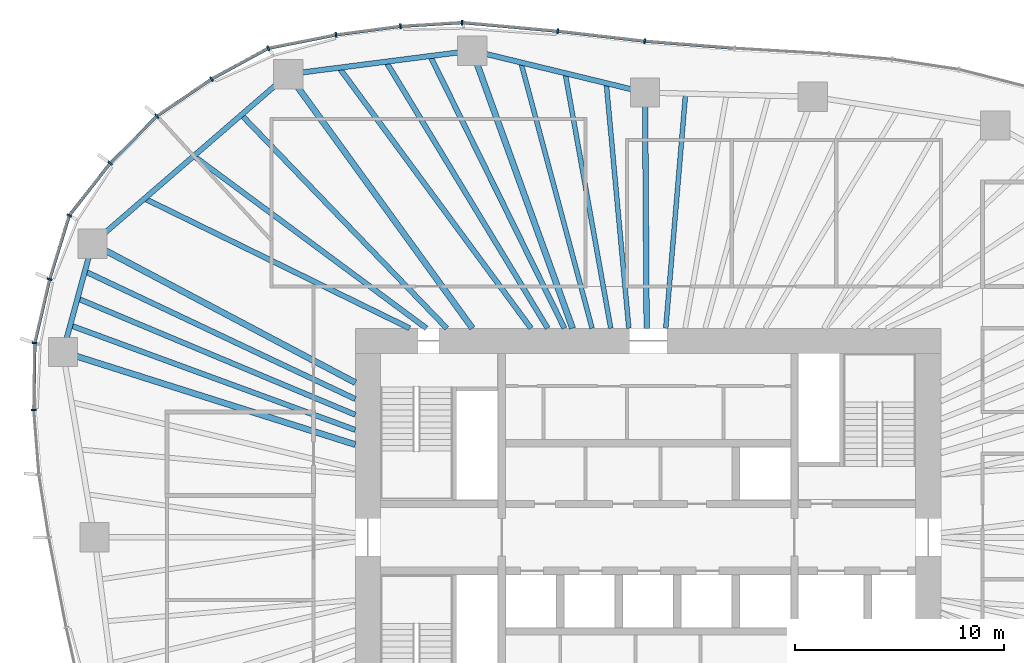
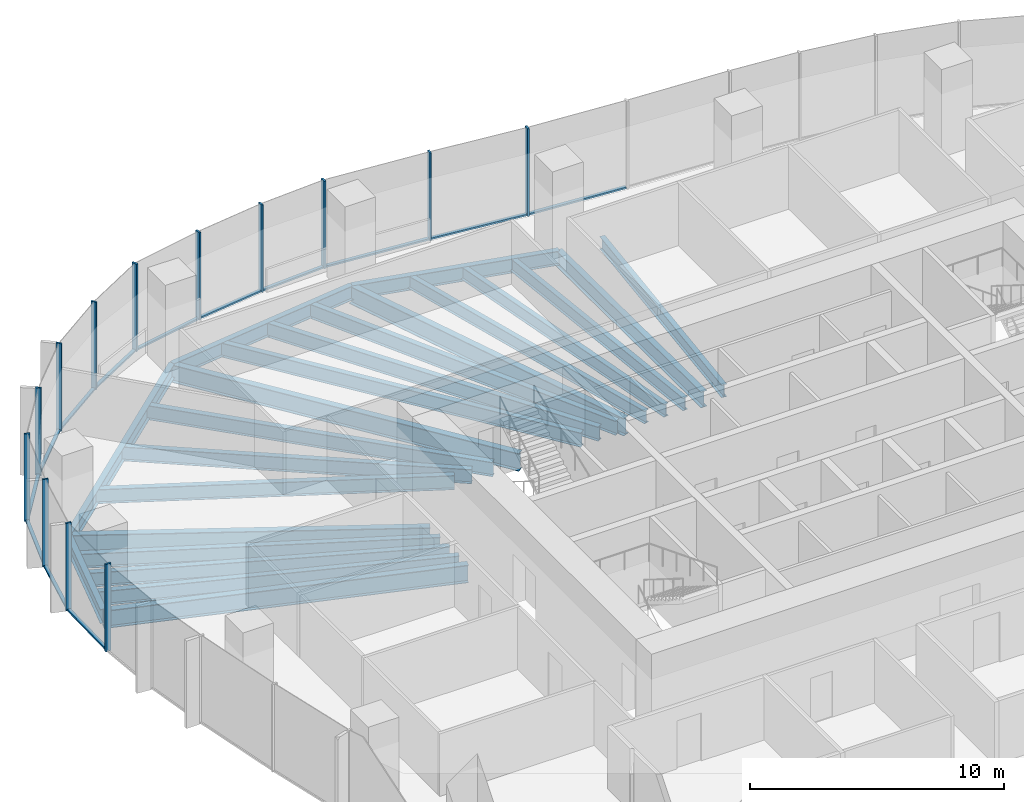
# One storey, part 5 of 18: 26 members, 22 beams, 6 elements without a shape of their own.
"""IFC4 building model written with IfcOpenShell, lengths in metres."""

from ifc_helpers import new_model, si_unit, direction, frame, origin, origin_2d, place, context, subcontext, project, spatial, rectangle, i_section, extrude, material, material_profile, profile_set, type_object, element, aggregate, save


model = new_model("IFC4")

# Units and contexts
model_context = context("Model", 3, precision=1e-05, world=origin(), true_north=direction((0.0, 1.0)))
body_context = subcontext(model_context, "Body", "Model", "MODEL_VIEW")
ifc_project = project(units=[si_unit("LENGTHUNIT", "METRE"), si_unit("AREAUNIT", "SQUARE_METRE"), si_unit("VOLUMEUNIT", "CUBIC_METRE"), si_unit("PLANEANGLEUNIT", "RADIAN"), si_unit("MASSUNIT", "GRAM", prefix="KILO")], contexts=[model_context])

# Site, building, storey
site_placement = place(None, origin())
site = spatial("IfcSite", under=ifc_project, at=site_placement, CompositionType="ELEMENT")
building_placement = place(site_placement, origin())
building = spatial("IfcBuilding", under=site, at=building_placement, Name="Ghaith Harvest Tower", CompositionType="ELEMENT")
storey_placement = place(building_placement, frame((0.0, 0.0, 147.0)))
storey = spatial("IfcBuildingStorey", under=building, at=storey_placement, Name="L31", CompositionType="ELEMENT", Elevation=147.0)

# Curtain wall, members
ifc_material_1 = material(Name="Black anodised aluminium and fritted glass", Category="aluminium")
curtain_wall_type = type_object("IfcCurtainWallType", Name="CW-L CURTAIN WALL", PredefinedType="NOTDEFINED", material=ifc_material_1)
curtain_wall_1_placement = place(storey_placement, origin())
curtain_wall_1 = element("IfcCurtainWall", 1, at=curtain_wall_1_placement, inside=storey, type_object=curtain_wall_type, Name="Curtain wall CW-L bay 06 L31", PredefinedType="NOTDEFINED")
ifc_material_2 = material(Name="Aluminium, black anodised", Category="aluminium")
ifc_material_profile_1 = material_profile(ifc_material_2, rectangle(XDim=0.080078125, YDim=0.239990234375, at=origin_2d()), Name="CW-L MULLION 80x240")
ifc_profile_set_1 = profile_set([ifc_material_profile_1], Name="Aluminium, black anodised")
member_type_1 = type_object("IfcMemberType", Name="CW-L MULLION 80x240", PredefinedType="MULLION", material=ifc_profile_set_1)
member_1_placement = place(storey_placement, frame((-0.162353515625, 23.729736328125, 0.0), z_axis=(0.0, 0.0, 1.0), x_axis=(-0.995388088953, 0.095929934691, 0.0)))
member_1 = element("IfcMember", 2, at=member_1_placement, type_object=member_type_1, Name="CW-L mullion 1 bay 06 L31", PredefinedType="MULLION", context=body_context, shape_type="SweptSolid", body=[
    extrude(rectangle(XDim=0.080078125, YDim=0.239990234375, at=origin_2d()), origin(), (0.0, 0.0, 1.0), 4.199951171875),
])
member_2_placement = place(storey_placement, frame((-4.322998046875, 24.207275390625, 0.0), z_axis=(0.0, 0.0, 1.0), x_axis=(-0.994830371571, 0.101550636625, 0.0)))
member_2 = element("IfcMember", 3, at=member_2_placement, type_object=member_type_1, Name="CW-L mullion 2 bay 06 L31", PredefinedType="MULLION", context=body_context, shape_type="SweptSolid", body=[
    extrude(rectangle(XDim=0.080078125, YDim=0.239990234375, at=origin_2d()), origin(), (0.0, 0.0, 1.0), 4.199951171875),
])

curtain_wall_2_placement = place(storey_placement, origin())
curtain_wall_2 = element("IfcCurtainWall", 4, at=curtain_wall_2_placement, inside=storey, type_object=curtain_wall_type, Name="Curtain wall CW-L bay 07 L31", PredefinedType="NOTDEFINED")
member_3_placement = place(storey_placement, frame((-8.892578125, 24.620849609375, 0.0), z_axis=(0.0, 0.0, 1.0), x_axis=(-0.999522209385, 0.030908784286, 0.0)))
member_3 = element("IfcMember", 5, at=member_3_placement, type_object=member_type_1, Name="CW-L mullion 1 bay 07 L31", PredefinedType="MULLION", context=body_context, shape_type="SweptSolid", body=[
    extrude(rectangle(XDim=0.080078125, YDim=0.239990234375, at=origin_2d()), origin(), (0.0, 0.0, 1.0), 4.199951171875),
])
member_4_placement = place(storey_placement, frame((-11.841064453125, 24.439697265625, 0.0), z_axis=(0.0, 0.0, 1.0), x_axis=(-0.995237520168, -0.097479630949, 0.0)))
member_4 = element("IfcMember", 6, at=member_4_placement, type_object=member_type_1, Name="CW-L mullion 2 bay 07 L31", PredefinedType="MULLION", context=body_context, shape_type="SweptSolid", body=[
    extrude(rectangle(XDim=0.080078125, YDim=0.239990234375, at=origin_2d()), origin(), (0.0, 0.0, 1.0), 4.199951171875),
])
member_5_placement = place(storey_placement, frame((-14.923828125, 24.030029296875, 0.0), z_axis=(0.0, 0.0, 1.0), x_axis=(-0.986494514812, -0.163794298578, 0.0)))
member_5 = element("IfcMember", 7, at=member_5_placement, type_object=member_type_1, Name="CW-L mullion 3 bay 07 L31", PredefinedType="MULLION", context=body_context, shape_type="SweptSolid", body=[
    extrude(rectangle(XDim=0.080078125, YDim=0.239990234375, at=origin_2d()), origin(), (0.0, 0.0, 1.0), 4.199951171875),
])

curtain_wall_3_placement = place(storey_placement, origin())
curtain_wall_3 = element("IfcCurtainWall", 8, at=curtain_wall_3_placement, inside=storey, type_object=curtain_wall_type, Name="Curtain wall CW-L bay 08 L31", PredefinedType="NOTDEFINED")
member_6_placement = place(storey_placement, frame((-18.165283203125, 23.3896484375, 0.0), z_axis=(0.0, 0.0, 1.0), x_axis=(-0.942103541202, -0.335322110298, 0.0)))
member_6 = element("IfcMember", 9, at=member_6_placement, type_object=member_type_1, Name="CW-L mullion 1 bay 08 L31", PredefinedType="MULLION", context=body_context, shape_type="SweptSolid", body=[
    extrude(rectangle(XDim=0.080078125, YDim=0.239990234375, at=origin_2d()), origin(), (0.0, 0.0, 1.0), 4.199951171875),
])
member_7_placement = place(storey_placement, frame((-20.87548828125, 21.91162109375, 0.0), z_axis=(0.0, 0.0, 1.0), x_axis=(-0.853515864435, -0.521066856707, 0.0)))
member_7 = element("IfcMember", 10, at=member_7_placement, type_object=member_type_1, Name="CW-L mullion 2 bay 08 L31", PredefinedType="MULLION", context=body_context, shape_type="SweptSolid", body=[
    extrude(rectangle(XDim=0.080078125, YDim=0.239990234375, at=origin_2d()), origin(), (0.0, 0.0, 1.0), 4.199951171875),
])
member_8_placement = place(storey_placement, frame((-23.489501953125, 20.13916015625, 0.0), z_axis=(0.0, 0.0, 1.0), x_axis=(-0.769682554376, -0.638426789451, 0.0)))
member_8 = element("IfcMember", 11, at=member_8_placement, type_object=member_type_1, Name="CW-L mullion 3 bay 08 L31", PredefinedType="MULLION", context=body_context, shape_type="SweptSolid", body=[
    extrude(rectangle(XDim=0.080078125, YDim=0.239990234375, at=origin_2d()), origin(), (0.0, 0.0, 1.0), 4.199951171875),
])

curtain_wall_4_placement = place(storey_placement, origin())
curtain_wall_4 = element("IfcCurtainWall", 12, at=curtain_wall_4_placement, inside=storey, type_object=curtain_wall_type, Name="Curtain wall CW-L bay 09 L31", PredefinedType="NOTDEFINED")
member_9_placement = place(storey_placement, frame((-25.718017578125, 17.894775390625, 0.0), z_axis=(0.0, 0.0, 1.0), x_axis=(-0.661903840688, -0.749588757708, 0.0)))
member_9 = element("IfcMember", 13, at=member_9_placement, type_object=member_type_1, Name="CW-L mullion 1 bay 09 L31", PredefinedType="MULLION", context=body_context, shape_type="SweptSolid", body=[
    extrude(rectangle(XDim=0.080078125, YDim=0.239990234375, at=origin_2d()), origin(), (0.0, 0.0, 1.0), 4.199951171875),
])
member_10_placement = place(storey_placement, frame((-27.67919921875, 15.39453125, 0.0), z_axis=(0.0, 0.0, 1.0), x_axis=(-0.462889784298, -0.886415843491, 0.0)))
member_10 = element("IfcMember", 14, at=member_10_placement, type_object=member_type_1, Name="CW-L mullion 2 bay 09 L31", PredefinedType="MULLION", context=body_context, shape_type="SweptSolid", body=[
    extrude(rectangle(XDim=0.080078125, YDim=0.239990234375, at=origin_2d()), origin(), (0.0, 0.0, 1.0), 4.199951171875),
])
member_11_placement = place(storey_placement, frame((-28.61669921875, 12.343994140625, 0.0), z_axis=(0.0, 0.0, 1.0), x_axis=(-0.260727312416, -0.965412486226, 0.0)))
member_11 = element("IfcMember", 15, at=member_11_placement, type_object=member_type_1, Name="CW-L mullion 3 bay 09 L31", PredefinedType="MULLION", context=body_context, shape_type="SweptSolid", body=[
    extrude(rectangle(XDim=0.080078125, YDim=0.239990234375, at=origin_2d()), origin(), (0.0, 0.0, 1.0), 4.199951171875),
])

curtain_wall_5_placement = place(storey_placement, origin())
curtain_wall_5 = element("IfcCurtainWall", 16, at=curtain_wall_5_placement, inside=storey, type_object=curtain_wall_type, Name="Curtain wall CW-L bay 10 L31", PredefinedType="NOTDEFINED")
member_12_placement = place(storey_placement, frame((-29.32666015625, 9.294189453125, 0.0), z_axis=(0.0, 0.0, 1.0), x_axis=(-0.120932140225, -0.99266077663, 0.0)))
member_12 = element("IfcMember", 17, at=member_12_placement, type_object=member_type_1, Name="CW-L mullion 1 bay 10 L31", PredefinedType="MULLION", context=body_context, shape_type="SweptSolid", body=[
    extrude(rectangle(XDim=0.080078125, YDim=0.239990234375, at=origin_2d()), origin(), (0.0, 0.0, 1.0), 4.199951171875),
])
member_13_placement = place(storey_placement, frame((-29.3779296875, 6.09619140625, 0.0), z_axis=(0.0, 0.0, 1.0), x_axis=(0.031027769448, -0.999518522851, 0.0)))
member_13 = element("IfcMember", 18, at=member_13_placement, type_object=member_type_1, Name="CW-L mullion 2 bay 10 L31", PredefinedType="MULLION", context=body_context, shape_type="SweptSolid", body=[
    extrude(rectangle(XDim=0.080078125, YDim=0.239990234375, at=origin_2d()), origin(), (0.0, 0.0, 1.0), 4.199951171875),
])

# Curtain wall, member
curtain_wall_6_placement = place(storey_placement, origin())
curtain_wall_6 = element("IfcCurtainWall", 19, at=curtain_wall_6_placement, inside=storey, type_object=curtain_wall_type, Name="Curtain wall CW-L bay 05 L31", PredefinedType="NOTDEFINED")
ifc_material_3 = material(Name="Aluminium, black anodised", Category="aluminium")
ifc_material_profile_2 = material_profile(ifc_material_3, rectangle(XDim=0.14990234375, YDim=0.080078125, at=origin_2d()), Name="CW-L TRANSOM 150x80")
ifc_profile_set_2 = profile_set([ifc_material_profile_2], Name="Aluminium, black anodised")
member_type_2 = type_object("IfcMemberType", Name="CW-L TRANSOM 150x80", PredefinedType="USERDEFINED", material=ifc_profile_set_2)
member_14_placement = place(storey_placement, frame((4.106689453125, 23.39404296875, 0.0400390625), z_axis=(-0.996923406046, 0.078381901463, 0.0), x_axis=(-0.078381901463, -0.996923406046, 0.0)))
member_14 = element("IfcMember", 20, at=member_14_placement, type_object=member_type_2, Name="CW-L transom 2 bay 05 L31", ObjectType="TRANSOM", PredefinedType="USERDEFINED", context=body_context, shape_type="SweptSolid", body=[
    extrude(rectangle(XDim=0.14990234375, YDim=0.080078125, at=origin_2d()), origin(), (0.0, 0.0, 1.0), 4.2421875),
])
aggregate(curtain_wall_6, [member_14])

# Member
member_15_placement = place(storey_placement, frame((-0.2021484375, 23.734130859375, 0.0400390625), z_axis=(-0.993474883942, 0.114051106861, 0.0), x_axis=(-0.114051106861, -0.993474883942, 0.0)))
member_15 = element("IfcMember", 21, at=member_15_placement, type_object=member_type_2, Name="CW-L transom 1 bay 06 L31", ObjectType="TRANSOM", PredefinedType="USERDEFINED", context=body_context, shape_type="SweptSolid", body=[
    extrude(rectangle(XDim=0.14990234375, YDim=0.080078125, at=origin_2d()), origin(), (0.0, 0.0, 1.0), 4.10791015625),
])

member_16_placement = place(storey_placement, frame((-4.36279296875, 24.210693359375, 0.0400390625), z_axis=(-0.995926431676, 0.090169521954, 0.0), x_axis=(-0.090169521954, -0.995926431676, 0.0)))
member_16 = element("IfcMember", 22, at=member_16_placement, type_object=member_type_2, Name="CW-L transom 2 bay 06 L31", ObjectType="TRANSOM", PredefinedType="USERDEFINED", context=body_context, shape_type="SweptSolid", body=[
    extrude(rectangle(XDim=0.14990234375, YDim=0.080078125, at=origin_2d()), origin(), (0.0, 0.0, 1.0), 4.508056640625),
])

aggregate(curtain_wall_1, [member_1, member_15, member_2, member_16])

member_17_placement = place(storey_placement, frame((-8.932373046875, 24.618408203125, 0.0400390625), z_axis=(-0.998117793577, -0.061325933705, 0.0), x_axis=(0.061325933705, -0.998117793577, 0.0)))
member_17 = element("IfcMember", 23, at=member_17_placement, type_object=member_type_2, Name="CW-L transom 1 bay 07 L31", ObjectType="TRANSOM", PredefinedType="USERDEFINED", context=body_context, shape_type="SweptSolid", body=[
    extrude(rectangle(XDim=0.14990234375, YDim=0.080078125, at=origin_2d()), origin(), (0.0, 0.0, 1.0), 2.874267578125),
])

member_18_placement = place(storey_placement, frame((-11.880859375, 24.434326171875, 0.0400390625), z_axis=(-0.991293929443, -0.131667556553, 0.0), x_axis=(0.131667556553, -0.991293929443, 0.0)))
member_18 = element("IfcMember", 24, at=member_18_placement, type_object=member_type_2, Name="CW-L transom 2 bay 07 L31", ObjectType="TRANSOM", PredefinedType="USERDEFINED", context=body_context, shape_type="SweptSolid", body=[
    extrude(rectangle(XDim=0.14990234375, YDim=0.080078125, at=origin_2d()), origin(), (0.0, 0.0, 1.0), 3.02978515625),
])

member_19_placement = place(storey_placement, frame((-14.963134765625, 24.022216796875, 0.0400390625), z_axis=(-0.98104391994, -0.19378551842, 0.0), x_axis=(0.19378551842, -0.98104391994, 0.0)))
member_19 = element("IfcMember", 25, at=member_19_placement, type_object=member_type_2, Name="CW-L transom 3 bay 07 L31", ObjectType="TRANSOM", PredefinedType="USERDEFINED", context=body_context, shape_type="SweptSolid", body=[
    extrude(rectangle(XDim=0.14990234375, YDim=0.080078125, at=origin_2d()), origin(), (0.0, 0.0, 1.0), 3.223876953125),
])

aggregate(curtain_wall_2, [member_3, member_17, member_4, member_18, member_5, member_19])

member_20_placement = place(storey_placement, frame((-18.200439453125, 23.37060546875, 0.0400390625), z_axis=(-0.877929702377, -0.478789554695, 0.0), x_axis=(0.478789554695, -0.877929702377, 0.0)))
member_20 = element("IfcMember", 26, at=member_20_placement, type_object=member_type_2, Name="CW-L transom 1 bay 08 L31", ObjectType="TRANSOM", PredefinedType="USERDEFINED", context=body_context, shape_type="SweptSolid", body=[
    extrude(rectangle(XDim=0.14990234375, YDim=0.080078125, at=origin_2d()), origin(), (0.0, 0.0, 1.0), 3.0068359375),
])

member_21_placement = place(storey_placement, frame((-20.908447265625, 21.88916015625, 0.0400390625), z_axis=(-0.827681025079, -0.561198824593, 0.0), x_axis=(0.561198824593, -0.827681025079, 0.0)))
member_21 = element("IfcMember", 27, at=member_21_placement, type_object=member_type_2, Name="CW-L transom 2 bay 08 L31", ObjectType="TRANSOM", PredefinedType="USERDEFINED", context=body_context, shape_type="SweptSolid", body=[
    extrude(rectangle(XDim=0.14990234375, YDim=0.080078125, at=origin_2d()), origin(), (0.0, 0.0, 1.0), 3.078369140625),
])

member_22_placement = place(storey_placement, frame((-23.517578125, 20.11083984375, 0.0400390625), z_axis=(-0.704647577514, -0.709557461735, 0.0), x_axis=(0.709557461735, -0.704647577514, 0.0)))
member_22 = element("IfcMember", 28, at=member_22_placement, type_object=member_type_2, Name="CW-L transom 3 bay 08 L31", ObjectType="TRANSOM", PredefinedType="USERDEFINED", context=body_context, shape_type="SweptSolid", body=[
    extrude(rectangle(XDim=0.14990234375, YDim=0.080078125, at=origin_2d()), origin(), (0.0, 0.0, 1.0), 3.0830078125),
])

aggregate(curtain_wall_3, [member_6, member_20, member_7, member_21, member_8, member_22])

member_23_placement = place(storey_placement, frame((-25.74267578125, 17.86328125, 0.0400390625), z_axis=(-0.617198298797, -0.786807638474, 0.0), x_axis=(0.786807638474, -0.617198298797, 0.0)))
member_23 = element("IfcMember", 29, at=member_23_placement, type_object=member_type_2, Name="CW-L transom 1 bay 09 L31", ObjectType="TRANSOM", PredefinedType="USERDEFINED", context=body_context, shape_type="SweptSolid", body=[
    extrude(rectangle(XDim=0.14990234375, YDim=0.080078125, at=origin_2d()), origin(), (0.0, 0.0, 1.0), 3.09765625),
])

member_24_placement = place(storey_placement, frame((-27.69091796875, 15.356201171875, 0.0400390625), z_axis=(-0.293777058804, -0.955873966441, 0.0), x_axis=(0.955873966441, -0.293777058804, 0.0)))
member_24 = element("IfcMember", 30, at=member_24_placement, type_object=member_type_2, Name="CW-L transom 2 bay 09 L31", ObjectType="TRANSOM", PredefinedType="USERDEFINED", context=body_context, shape_type="SweptSolid", body=[
    extrude(rectangle(XDim=0.14990234375, YDim=0.080078125, at=origin_2d()), origin(), (0.0, 0.0, 1.0), 3.111328125),
])

member_25_placement = place(storey_placement, frame((-28.6259765625, 12.304931640625, 0.0400390625), z_axis=(-0.226670598607, -0.973971477882, 0.0), x_axis=(0.973971477882, -0.226670598607, 0.0)))
member_25 = element("IfcMember", 31, at=member_25_placement, type_object=member_type_2, Name="CW-L transom 3 bay 09 L31", ObjectType="TRANSOM", PredefinedType="USERDEFINED", context=body_context, shape_type="SweptSolid", body=[
    extrude(rectangle(XDim=0.14990234375, YDim=0.080078125, at=origin_2d()), origin(), (0.0, 0.0, 1.0), 3.05126953125),
])

aggregate(curtain_wall_4, [member_9, member_23, member_10, member_24, member_11, member_25])

member_26_placement = place(storey_placement, frame((-29.327392578125, 9.254150390625, 0.0400390625), z_axis=(-0.015971652868, -0.999872445017, 0.0), x_axis=(0.999872445017, -0.015971652868, 0.0)))
member_26 = element("IfcMember", 32, at=member_26_placement, type_object=member_type_2, Name="CW-L transom 1 bay 10 L31", ObjectType="TRANSOM", PredefinedType="USERDEFINED", context=body_context, shape_type="SweptSolid", body=[
    extrude(rectangle(XDim=0.14990234375, YDim=0.080078125, at=origin_2d()), origin(), (0.0, 0.0, 1.0), 3.118408203125),
])

aggregate(curtain_wall_5, [member_12, member_26, member_13])

# Beams
ifc_material_4 = material(Name="Steel ASTM A992 Grade 50", Category="steel")
ifc_material_profile_3 = material_profile(ifc_material_4, i_section(OverallWidth=0.25390625, OverallDepth=0.68408203125, WebThickness=0.012451171875, FlangeThickness=0.018798828125, at=origin_2d()), Name="W690X140")
ifc_profile_set_3 = profile_set([ifc_material_profile_3], Name="Steel ASTM A992 Grade 50")
beam_type_1 = type_object("IfcBeamType", Name="E690-140 W690X140", PredefinedType="SPANDREL", material=ifc_profile_set_3)
beam_1_placement = place(storey_placement, frame((-0.14599609375, 21.27099609375, -0.511962890625), z_axis=(-0.971790293477, 0.235846614358, 0.0), x_axis=(-0.235846614358, -0.971790293477, 0.0)))
element("IfcBeam", 33, at=beam_1_placement, inside=storey, type_object=beam_type_1, Name="Edge beam E06 L31", PredefinedType="SPANDREL", context=body_context, shape_type="SweptSolid", body=[
    extrude(i_section(OverallWidth=0.25390625, OverallDepth=0.68408203125, WebThickness=0.012451171875, FlangeThickness=0.018798828125, at=origin_2d()), origin(), (0.0, 0.0, 1.0), 8.500732421875),
])
beam_2_placement = place(storey_placement, frame((-8.406982421875, 23.27587890625, -0.511962890625), z_axis=(-0.991904090065, -0.126989275577, 0.0), x_axis=(0.126989275577, -0.991904090065, 0.0)))
element("IfcBeam", 34, at=beam_2_placement, inside=storey, type_object=beam_type_1, Name="Edge beam E07 L31", PredefinedType="SPANDREL", context=body_context, shape_type="SweptSolid", body=[
    extrude(i_section(OverallWidth=0.25390625, OverallDepth=0.68408203125, WebThickness=0.012451171875, FlangeThickness=0.018798828125, at=origin_2d()), origin(), (0.0, 0.0, 1.0), 8.86669921875),
])
beam_3_placement = place(storey_placement, frame((-17.201904296875, 22.14990234375, -0.511962890625), z_axis=(-0.756392158274, -0.654118416574, 0.0), x_axis=(0.654118416574, -0.756392158274, 0.0)))
element("IfcBeam", 35, at=beam_3_placement, inside=storey, type_object=beam_type_1, Name="Edge beam E08 L31", PredefinedType="SPANDREL", context=body_context, shape_type="SweptSolid", body=[
    extrude(i_section(OverallWidth=0.25390625, OverallDepth=0.68408203125, WebThickness=0.012451171875, FlangeThickness=0.018798828125, at=origin_2d()), origin(), (0.0, 0.0, 1.0), 12.38916015625),
])
beam_4_placement = place(storey_placement, frame((-26.572998046875, 14.0458984375, -0.511962890625), z_axis=(-0.262724740433, -0.964870825947, 0.0), x_axis=(0.964870825947, -0.262724740433, 0.0)))
element("IfcBeam", 36, at=beam_4_placement, inside=storey, type_object=beam_type_1, Name="Edge beam E09 L31", PredefinedType="SPANDREL", context=body_context, shape_type="SweptSolid", body=[
    extrude(i_section(OverallWidth=0.25390625, OverallDepth=0.68408203125, WebThickness=0.012451171875, FlangeThickness=0.018798828125, at=origin_2d()), origin(), (0.0, 0.0, 1.0), 5.366455078125),
])
ifc_material_5 = material(Name="Steel ASTM A992 Grade 50", Category="steel")
ifc_material_profile_4 = material_profile(ifc_material_5, i_section(OverallWidth=0.26806640625, OverallDepth=0.77001953125, WebThickness=0.015625, FlangeThickness=0.025390625, at=origin_2d()), Name="W760X196")
ifc_profile_set_4 = profile_set([ifc_material_profile_4], Name="Steel ASTM A992 Grade 50")
beam_type_2 = type_object("IfcBeamType", Name="G760-196 W760X196", PredefinedType="BEAM", material=ifc_profile_set_4)
beam_5_placement = place(storey_placement, frame((-0.068359375, 10.0, -0.554931640625), z_axis=(-0.006888022705, 0.99997627729, 0.0), x_axis=(-0.99997627729, -0.006888022705, 0.0)))
element("IfcBeam", 37, at=beam_5_placement, inside=storey, type_object=beam_type_2, Name="Radial girder G06 L31", PredefinedType="BEAM", context=body_context, shape_type="SweptSolid", body=[
    extrude(i_section(OverallWidth=0.26806640625, OverallDepth=0.77001953125, WebThickness=0.015625, FlangeThickness=0.025390625, at=origin_2d()), origin(), (0.0, 0.0, 1.0), 11.271240234375),
])
ifc_material_6 = material(Name="Steel ASTM A992 Grade 50", Category="steel")
ifc_material_profile_5 = material_profile(ifc_material_6, i_section(OverallWidth=0.2939453125, OverallDepth=0.85107421875, WebThickness=0.01611328125, FlangeThickness=0.02685546875, at=origin_2d()), Name="W840X226")
ifc_profile_set_5 = profile_set([ifc_material_profile_5], Name="Steel ASTM A992 Grade 50")
beam_type_3 = type_object("IfcBeamType", Name="G840-226 W840X226", PredefinedType="BEAM", material=ifc_profile_set_5)
beam_6_placement = place(storey_placement, frame((-3.61181640625, 10.0, -0.595458984375), z_axis=(-0.339713316819, 0.940529033245, 0.0), x_axis=(-0.940529033245, -0.339713316819, 0.0)))
element("IfcBeam", 38, at=beam_6_placement, inside=storey, type_object=beam_type_3, Name="Radial girder G07 L31", PredefinedType="BEAM", context=body_context, shape_type="SweptSolid", body=[
    extrude(i_section(OverallWidth=0.2939453125, OverallDepth=0.85107421875, WebThickness=0.01611328125, FlangeThickness=0.02685546875, at=origin_2d()), origin(), (0.0, 0.0, 1.0), 14.115234375),
])
beam_7_placement = place(storey_placement, frame((-8.39990234375, 10.0, -0.595458984375), z_axis=(-0.586675813287, 0.809821887889, 0.0), x_axis=(-0.809821887889, -0.586675813287, 0.0)))
element("IfcBeam", 39, at=beam_7_placement, inside=storey, type_object=beam_type_3, Name="Radial girder G08 L31", PredefinedType="BEAM", context=body_context, shape_type="SweptSolid", body=[
    extrude(i_section(OverallWidth=0.2939453125, OverallDepth=0.85107421875, WebThickness=0.01611328125, FlangeThickness=0.02685546875, at=origin_2d()), origin(), (0.0, 0.0, 1.0), 15.003173828125),
])
beam_8_placement = place(storey_placement, frame((-14.0, 7.39990234375, -0.595458984375), z_axis=(-0.88408713845, 0.467322085533, 0.0), x_axis=(-0.467322085533, -0.88408713845, 0.0)))
element("IfcBeam", 40, at=beam_8_placement, inside=storey, type_object=beam_type_3, Name="Radial girder G09 L31", PredefinedType="BEAM", context=body_context, shape_type="SweptSolid", body=[
    extrude(i_section(OverallWidth=0.2939453125, OverallDepth=0.85107421875, WebThickness=0.01611328125, FlangeThickness=0.02685546875, at=origin_2d()), origin(), (0.0, 0.0, 1.0), 14.221435546875),
])
beam_9_placement = place(storey_placement, frame((-14.0, 4.43701171875, -0.595458984375), z_axis=(-0.953283605796, 0.302076756671, 0.0), x_axis=(-0.302076756671, -0.953283605796, 0.0)))
element("IfcBeam", 41, at=beam_9_placement, inside=storey, type_object=beam_type_3, Name="Radial girder G10 L31", PredefinedType="BEAM", context=body_context, shape_type="SweptSolid", body=[
    extrude(i_section(OverallWidth=0.2939453125, OverallDepth=0.85107421875, WebThickness=0.01611328125, FlangeThickness=0.02685546875, at=origin_2d()), origin(), (0.0, 0.0, 1.0), 14.668212890625),
])
ifc_material_7 = material(Name="Steel ASTM A992 Grade 50", Category="steel")
ifc_material_profile_6 = material_profile(ifc_material_7, i_section(OverallWidth=0.22900390625, OverallDepth=0.612060546875, WebThickness=0.011962890625, FlangeThickness=0.01953125, at=origin_2d()), Name="W610X125")
ifc_profile_set_6 = profile_set([ifc_material_profile_6], Name="Steel ASTM A992 Grade 50")
beam_type_4 = type_object("IfcBeamType", Name="J610-125 W610X125", PredefinedType="JOIST", material=ifc_profile_set_6)
beam_10_placement = place(storey_placement, frame((0.844970703125, 10.0, -0.47607421875), z_axis=(0.084213263804, 0.996447753873, 0.0), x_axis=(-0.996447753873, 0.084213263804, 0.0)))
element("IfcBeam", 42, at=beam_10_placement, inside=storey, type_object=beam_type_4, Name="Joist J05.3 L31", PredefinedType="JOIST", context=body_context, shape_type="SweptSolid", body=[
    extrude(i_section(OverallWidth=0.22900390625, OverallDepth=0.612060546875, WebThickness=0.011962890625, FlangeThickness=0.01953125, at=origin_2d()), origin(), (0.0, 0.0, 1.0), 11.262939453125),
])
beam_11_placement = place(storey_placement, frame((-0.92041015625, 10.0, -0.47607421875), z_axis=(-0.091659676302, 0.995790391468, 0.0), x_axis=(-0.995790391468, -0.091659676302, 0.0)))
element("IfcBeam", 43, at=beam_11_placement, inside=storey, type_object=beam_type_4, Name="Joist J06.1 L31", PredefinedType="JOIST", context=body_context, shape_type="SweptSolid", body=[
    extrude(i_section(OverallWidth=0.22900390625, OverallDepth=0.612060546875, WebThickness=0.011962890625, FlangeThickness=0.01953125, at=origin_2d()), origin(), (0.0, 0.0, 1.0), 11.770263671875),
])
beam_12_placement = place(storey_placement, frame((-1.785888671875, 10.0, -0.47607421875), z_axis=(-0.175794730188, 0.984426844838, 0.0), x_axis=(-0.984426844838, -0.175794730188, 0.0)))
element("IfcBeam", 44, at=beam_12_placement, inside=storey, type_object=beam_type_4, Name="Joist J06.2 L31", PredefinedType="JOIST", context=body_context, shape_type="SweptSolid", body=[
    extrude(i_section(OverallWidth=0.22900390625, OverallDepth=0.612060546875, WebThickness=0.011962890625, FlangeThickness=0.01953125, at=origin_2d()), origin(), (0.0, 0.0, 1.0), 12.390625),
])
beam_13_placement = place(storey_placement, frame((-2.677978515625, 10.0, -0.47607421875), z_axis=(-0.258692500157, 0.965959725021, 0.0), x_axis=(-0.965959725021, -0.258692500157, 0.0)))
element("IfcBeam", 45, at=beam_13_placement, inside=storey, type_object=beam_type_4, Name="Joist J06.3 L31", PredefinedType="JOIST", context=body_context, shape_type="SweptSolid", body=[
    extrude(i_section(OverallWidth=0.22900390625, OverallDepth=0.612060546875, WebThickness=0.011962890625, FlangeThickness=0.01953125, at=origin_2d()), origin(), (0.0, 0.0, 1.0), 13.15966796875),
])
ifc_material_8 = material(Name="Steel ASTM A992 Grade 50", Category="steel")
ifc_material_profile_7 = material_profile(ifc_material_8, i_section(OverallWidth=0.25390625, OverallDepth=0.68408203125, WebThickness=0.012451171875, FlangeThickness=0.018798828125, at=origin_2d()), Name="W690X140")
ifc_profile_set_7 = profile_set([ifc_material_profile_7], Name="Steel ASTM A992 Grade 50")
beam_type_5 = type_object("IfcBeamType", Name="J690-140 W690X140", PredefinedType="JOIST", material=ifc_profile_set_7)
beam_14_placement = place(storey_placement, frame((-4.0, 10.0, -0.511962890625), z_axis=(-0.442214455448, 0.896909346251, 0.0), x_axis=(-0.896909346251, -0.442214455448, 0.0)))
element("IfcBeam", 46, at=beam_14_placement, inside=storey, type_object=beam_type_5, Name="Joist J07.1 L31", PredefinedType="JOIST", context=body_context, shape_type="SweptSolid", body=[
    extrude(i_section(OverallWidth=0.25390625, OverallDepth=0.68408203125, WebThickness=0.012451171875, FlangeThickness=0.018798828125, at=origin_2d()), origin(), (0.0, 0.0, 1.0), 14.514892578125),
])
beam_15_placement = place(storey_placement, frame((-4.800048828125, 10.0, -0.511962890625), z_axis=(-0.51847337083, 0.855093774822, 0.0), x_axis=(-0.855093774822, -0.51847337083, 0.0)))
element("IfcBeam", 47, at=beam_15_placement, inside=storey, type_object=beam_type_5, Name="Joist J07.2 L31", PredefinedType="JOIST", context=body_context, shape_type="SweptSolid", body=[
    extrude(i_section(OverallWidth=0.25390625, OverallDepth=0.68408203125, WebThickness=0.012451171875, FlangeThickness=0.018798828125, at=origin_2d()), origin(), (0.0, 0.0, 1.0), 14.90869140625),
])
beam_16_placement = place(storey_placement, frame((-5.60009765625, 10.0, -0.511962890625), z_axis=(-0.592984827174, 0.805213632983, 0.0), x_axis=(-0.805213632983, -0.592984827174, 0.0)))
element("IfcBeam", 48, at=beam_16_placement, inside=storey, type_object=beam_type_5, Name="Joist J07.3 L31", PredefinedType="JOIST", context=body_context, shape_type="SweptSolid", body=[
    extrude(i_section(OverallWidth=0.25390625, OverallDepth=0.68408203125, WebThickness=0.012451171875, FlangeThickness=0.018798828125, at=origin_2d()), origin(), (0.0, 0.0, 1.0), 15.474609375),
])
beam_17_placement = place(storey_placement, frame((-9.626708984375, 10.0, -0.511962890625), z_axis=(-0.693535693616, 0.720422266231, 0.0), x_axis=(-0.720422266231, -0.693535693616, 0.0)))
element("IfcBeam", 49, at=beam_17_placement, inside=storey, type_object=beam_type_5, Name="Joist J08.1 L31", PredefinedType="JOIST", context=body_context, shape_type="SweptSolid", body=[
    extrude(i_section(OverallWidth=0.25390625, OverallDepth=0.68408203125, WebThickness=0.012451171875, FlangeThickness=0.018798828125, at=origin_2d()), origin(), (0.0, 0.0, 1.0), 14.16552734375),
])
beam_18_placement = place(storey_placement, frame((-10.60009765625, 10.0, -0.511962890625), z_axis=(-0.803663089107, 0.595084564752, 0.0), x_axis=(-0.595084564752, -0.803663089107, 0.0)))
element("IfcBeam", 50, at=beam_18_placement, inside=storey, type_object=beam_type_5, Name="Joist J08.2 L31", PredefinedType="JOIST", context=body_context, shape_type="SweptSolid", body=[
    extrude(i_section(OverallWidth=0.25390625, OverallDepth=0.68408203125, WebThickness=0.012451171875, FlangeThickness=0.018798828125, at=origin_2d()), origin(), (0.0, 0.0, 1.0), 13.843505859375),
])
beam_19_placement = place(storey_placement, frame((-11.39990234375, 10.0, -0.511962890625), z_axis=(-0.898274832354, 0.439434096946, 0.0), x_axis=(-0.439434096946, -0.898274832354, 0.0)))
element("IfcBeam", 51, at=beam_19_placement, inside=storey, type_object=beam_type_5, Name="Joist J08.3 L31", PredefinedType="JOIST", context=body_context, shape_type="SweptSolid", body=[
    extrude(i_section(OverallWidth=0.25390625, OverallDepth=0.68408203125, WebThickness=0.012451171875, FlangeThickness=0.018798828125, at=origin_2d()), origin(), (0.0, 0.0, 1.0), 14.114990234375),
])
beam_20_placement = place(storey_placement, frame((-14.0, 6.614990234375, -0.511962890625), z_axis=(-0.904153428261, 0.427207886354, 0.0), x_axis=(-0.427207886354, -0.904153428261, 0.0)))
element("IfcBeam", 52, at=beam_20_placement, inside=storey, type_object=beam_type_5, Name="Joist J09.1 L31", PredefinedType="JOIST", context=body_context, shape_type="SweptSolid", body=[
    extrude(i_section(OverallWidth=0.25390625, OverallDepth=0.68408203125, WebThickness=0.012451171875, FlangeThickness=0.018798828125, at=origin_2d()), origin(), (0.0, 0.0, 1.0), 14.303466796875),
])
beam_21_placement = place(storey_placement, frame((-14.0, 5.862548828125, -0.511962890625), z_axis=(-0.922385943167, 0.38626955853, 0.0), x_axis=(-0.38626955853, -0.922385943167, 0.0)))
element("IfcBeam", 53, at=beam_21_placement, inside=storey, type_object=beam_type_5, Name="Joist J09.2 L31", PredefinedType="JOIST", context=body_context, shape_type="SweptSolid", body=[
    extrude(i_section(OverallWidth=0.25390625, OverallDepth=0.68408203125, WebThickness=0.012451171875, FlangeThickness=0.018798828125, at=origin_2d()), origin(), (0.0, 0.0, 1.0), 14.404296875),
])
beam_22_placement = place(storey_placement, frame((-14.0, 5.137939453125, -0.511962890625), z_axis=(-0.93877541132, 0.344529718748, 0.0), x_axis=(-0.344529718748, -0.93877541132, 0.0)))
element("IfcBeam", 54, at=beam_22_placement, inside=storey, type_object=beam_type_5, Name="Joist J09.3 L31", PredefinedType="JOIST", context=body_context, shape_type="SweptSolid", body=[
    extrude(i_section(OverallWidth=0.25390625, OverallDepth=0.68408203125, WebThickness=0.012451171875, FlangeThickness=0.018798828125, at=origin_2d()), origin(), (0.0, 0.0, 1.0), 14.525390625),
])

save(model, "model.ifc")
